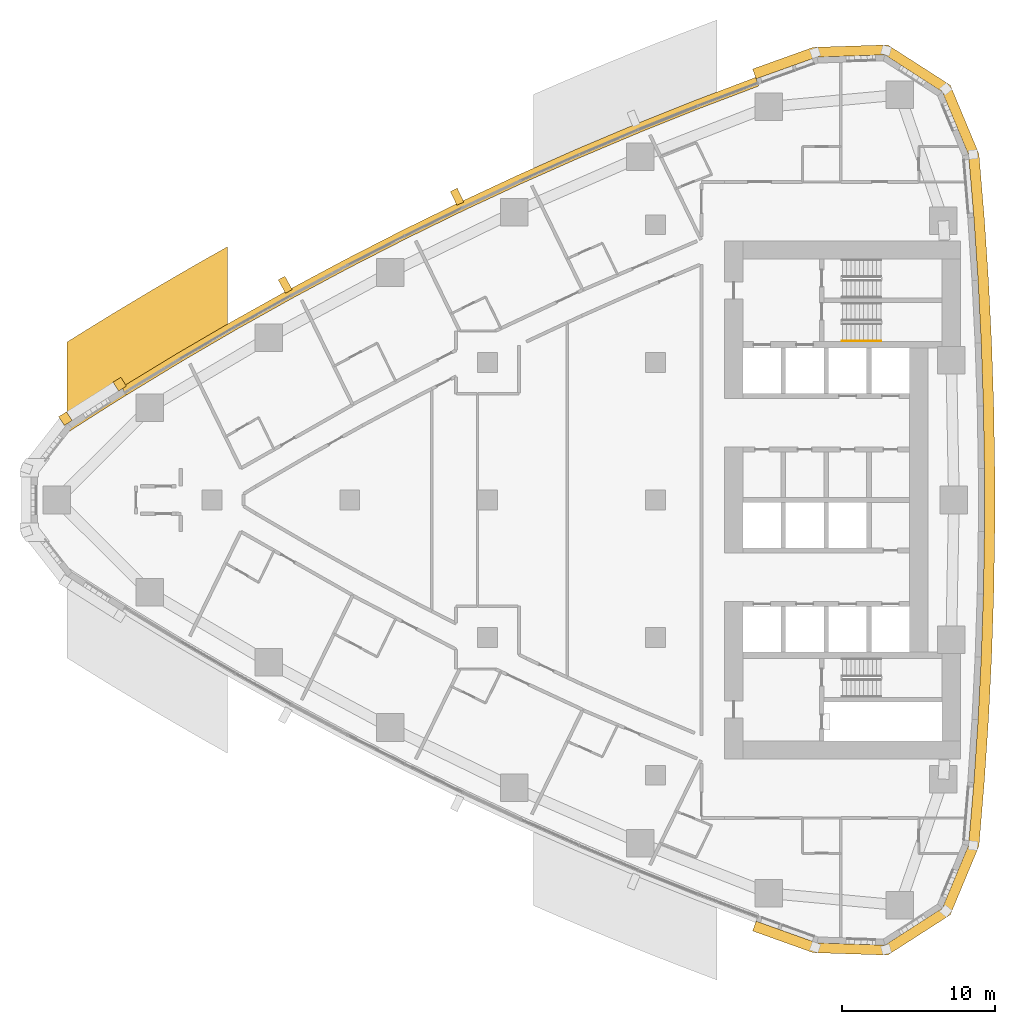
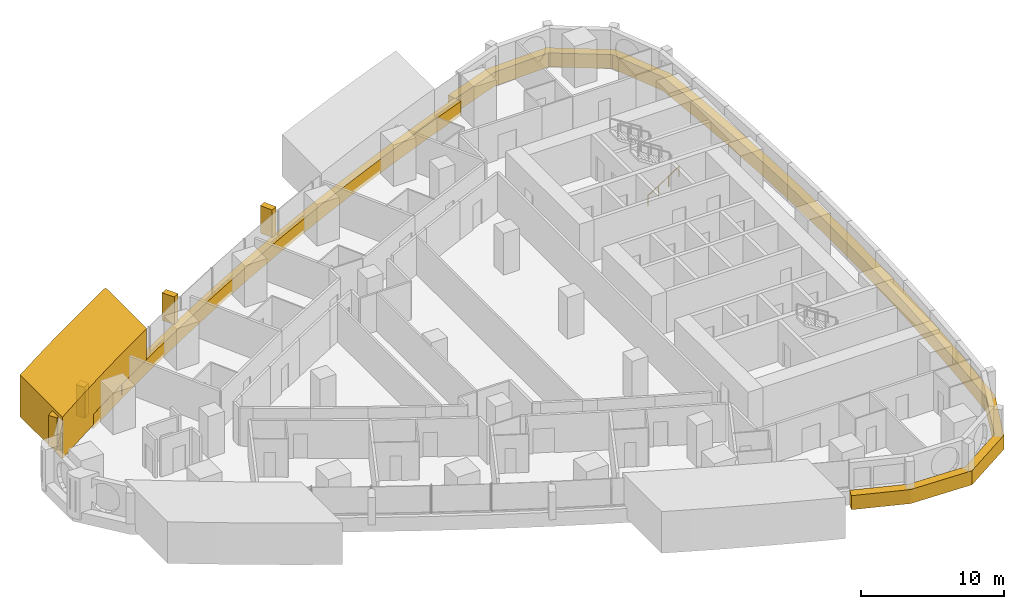
# One storey, part 17 of 19: 7 coverings, 1 railing.
"""IFC4 building model written with IfcOpenShell, lengths in metres."""

from ifc_helpers import new_model, si_unit, direction, frame, frame_2d, origin, origin_2d, place, context, subcontext, project, spatial, polyline, rectangle, circle, outline, extrude, material, layer, layer_set, type_object, element, save


model = new_model("IFC4")

# Units and contexts
model_context = context("Model", 3, precision=1e-05, world=origin(), true_north=direction((0.0, 1.0)))
body_context = subcontext(model_context, "Body", "Model", "MODEL_VIEW")
ifc_project = project(units=[si_unit("LENGTHUNIT", "METRE"), si_unit("AREAUNIT", "SQUARE_METRE"), si_unit("VOLUMEUNIT", "CUBIC_METRE"), si_unit("PLANEANGLEUNIT", "RADIAN"), si_unit("MASSUNIT", "GRAM", prefix="KILO")], contexts=[model_context])

# Site, building, storey
site_placement = place(None, origin())
site = spatial("IfcSite", under=ifc_project, at=site_placement, CompositionType="ELEMENT")
building_placement = place(site_placement, origin())
building = spatial("IfcBuilding", under=site, at=building_placement, Name="Ostrand Prow Hotel Tower", CompositionType="ELEMENT")
storey_placement = place(building_placement, frame((0.0, 0.0, 50.25)))
storey = spatial("IfcBuildingStorey", under=building, at=storey_placement, Name="L10", CompositionType="ELEMENT", Elevation=50.25)

# Coverings
ifc_material_1 = material(Name="Bronze anodised aluminium cladding", Category="aluminium")
ifc_layer_1 = layer(ifc_material_1, 0.60009765625)
ifc_layer_set_1 = layer_set([ifc_layer_1], Name="Bronze anodised aluminium cladding")
covering_type_1 = type_object("IfcCoveringType", Name="Bronze spandrel band 1200x600", PredefinedType="CLADDING", material=ifc_layer_set_1)
covering_1_placement = place(storey_placement, frame((0.0, 0.0, -0.300048828125)))
element("IfcCovering", 1, at=covering_1_placement, inside=storey, type_object=covering_type_1, Name="Spandrel band N1", PredefinedType="CLADDING", context=body_context, shape_type="SweptSolid", body=[
    extrude(outline(polyline([(51.5361328125, 27.6328125), (47.607666015625, 26.142578125), (43.70751953125, 24.580078125), (39.83642578125, 22.946044921875), (35.996337890625, 21.2412109375), (32.188232421875, 19.4658203125), (28.413330078125, 17.62060546875), (24.673095703125, 15.70654296875), (20.968994140625, 13.723876953125), (17.301513671875, 11.673095703125), (13.672607421875, 9.555419921875), (10.08349609375, 7.371337890625), (10.39990234375, 6.86181640625), (13.97998046875, 9.0400390625), (17.59912109375, 11.152099609375), (21.2568359375, 13.197509765625), (24.951416015625, 15.1748046875), (28.681884765625, 17.083984375), (32.44677734375, 18.92431640625), (36.244873046875, 20.695068359375), (40.074951171875, 22.3955078125), (43.935791015625, 24.025146484375), (47.82568359375, 25.58349609375), (51.743896484375, 27.070068359375), (51.5361328125, 27.6328125)])), origin(), (0.0, 0.0, 1.0), 1.199951171875),
])
covering_2_placement = place(storey_placement, frame((0.0, 0.0, -0.300048828125)))
element("IfcCovering", 2, at=covering_2_placement, inside=storey, type_object=covering_type_1, Name="Spandrel band back 1", PredefinedType="CLADDING", context=body_context, shape_type="SweptSolid", body=[
    extrude(outline(polyline([(51.335205078125, -28.177001953125), (55.300537109375, -29.5986328125), (60.16796875, -29.758056640625), (64.26318359375, -27.123046875), (66.13525390625, -22.627197265625), (66.48046875, -18.521728515625), (66.756591796875, -14.411376953125), (66.964111328125, -10.296630859375), (67.102294921875, -6.17919921875), (67.17138671875, -2.059814453125), (67.17138671875, 2.059814453125), (67.102294921875, 6.17919921875), (66.964111328125, 10.296630859375), (66.756591796875, 14.411376953125), (66.48046875, 18.521728515625), (66.13525390625, 22.627197265625), (64.26318359375, 27.123046875), (60.16796875, 29.758056640625), (55.300537109375, 29.5986328125), (51.335205078125, 28.177001953125), (51.57080078125, 27.5390625), (55.524169921875, 28.956298828125), (59.98681640625, 29.1025390625), (63.74169921875, 26.6865234375), (65.4580078125, 22.564453125), (65.802490234375, 18.470458984375), (66.077880859375, 14.371337890625), (66.28466796875, 10.26806640625), (66.422607421875, 6.162109375), (66.491455078125, 2.05419921875), (66.491455078125, -2.05419921875), (66.422607421875, -6.162109375), (66.28466796875, -10.26806640625), (66.077880859375, -14.371337890625), (65.802490234375, -18.470458984375), (65.4580078125, -22.564453125), (63.74169921875, -26.6865234375), (59.98681640625, -29.1025390625), (55.524169921875, -28.956298828125), (51.57080078125, -27.5390625), (51.335205078125, -28.177001953125)])), origin(), (0.0, 0.0, 1.0), 1.199951171875),
])
ifc_material_2 = material(Name="Limestone cladding", Category="masonry")
ifc_layer_2 = layer(ifc_material_2, 5.0)
ifc_layer_set_2 = layer_set([ifc_layer_2], Name="Limestone cladding")
covering_type_2 = type_object("IfcCoveringType", Name="Portal jamb pilaster limestone", PredefinedType="CLADDING", material=ifc_layer_set_2)
covering_3_placement = place(storey_placement, origin())
element("IfcCovering", 3, at=covering_3_placement, inside=storey, type_object=covering_type_2, Name="Portal jamb NA L10", PredefinedType="CLADDING", context=body_context, shape_type="SweptSolid", body=[
    extrude(outline(polyline([(6.5, 4.3837890625), (7.45458984375, 5.00048828125), (8.4091796875, 5.610595703125), (9.363525390625, 6.214111328125), (10.318115234375, 6.810791015625), (11.272705078125, 7.401123046875), (12.227294921875, 7.98486328125), (13.181884765625, 8.562255859375), (14.136474609375, 9.13330078125), (15.0908203125, 9.697998046875), (16.04541015625, 10.25634765625), (17.0, 10.80859375), (17.0, 16.556640625), (16.04541015625, 16.020263671875), (15.0908203125, 15.4775390625), (14.136474609375, 14.92919921875), (13.181884765625, 14.37451171875), (12.227294921875, 13.81396484375), (11.272705078125, 13.247314453125), (10.318115234375, 12.67431640625), (9.363525390625, 12.09521484375), (8.4091796875, 11.509521484375), (7.45458984375, 10.917724609375), (6.5, 10.319580078125), (6.5, 4.3837890625)])), origin(), (0.0, 0.0, 1.0), 3.550048828125),
])
ifc_material_3 = material(Name="Limestone cladding", Category="masonry")
ifc_layer_3 = layer(ifc_material_3, 0.5)
ifc_layer_set_3 = layer_set([ifc_layer_3], Name="Limestone cladding")
covering_type_3 = type_object("IfcCoveringType", Name="Precast stone fin 500x900", PredefinedType="CLADDING", material=ifc_layer_set_3)
for number, where, z_axis, x_axis, name in (
    (4, (32.231201171875, 19.37548828125, 0.89990234375), (0.0, 0.0, 1.0), (-0.430634686673, 0.902526324621, 0.0), "Stone fin N 6"),
    (5, (21.016845703125, 13.635986328125, 0.89990234375), (0.0, 0.0, 1.0), (-0.480014960696, 0.877260302025, 0.0), "Stone fin N 9"),
):
    element("IfcCovering", number, at=place(storey_placement, frame(where, z_axis=z_axis, x_axis=x_axis)), inside=storey, type_object=covering_type_3, Name=name, PredefinedType="CLADDING", context=body_context, shape_type="SweptSolid", body=[
        extrude(rectangle(XDim=1.0, YDim=0.5, at=frame_2d((0.5, 0.0))), origin(), (0.0, 0.0, 1.0), 2.35009765625),
    ])
ifc_material_4 = material(Name="Limestone cladding", Category="masonry")
ifc_layer_4 = layer(ifc_material_4, 0.60009765625)
ifc_layer_set_4 = layer_set([ifc_layer_4], Name="Limestone cladding")
covering_type_4 = type_object("IfcCoveringType", Name="Precast stone prow rib 600x600", PredefinedType="CLADDING", material=ifc_layer_set_4)
for number, where, z_axis, x_axis, name in (
    (6, (10.13623046875, 7.286376953125, 0.60009765625), (0.0, 0.0, 1.0), (-0.527738148304, 0.849407114889, 0.0), "Stone prow rib 1"),
    (7, (6.589111328125, 5.03759765625, 0.60009765625), (0.0, 0.0, 1.0), (-0.543295944087, 0.839541253983, 0.0), "Stone prow rib 2"),
):
    element("IfcCovering", number, at=place(storey_placement, frame(where, z_axis=z_axis, x_axis=x_axis)), inside=storey, type_object=covering_type_4, Name=name, PredefinedType="CLADDING", context=body_context, shape_type="SweptSolid", body=[
        extrude(rectangle(XDim=0.679931640625, YDim=0.60009765625, at=frame_2d((0.33984375, 0.0))), origin(), (0.0, 0.0, 1.0), 2.64990234375),
    ])

# Railing
ifc_material_5 = material(Name="Stainless steel", Category="steel")
railing_type = type_object("IfcRailingType", Name="Stair handrail 900", PredefinedType="HANDRAIL", material=ifc_material_5)
railing_placement = place(storey_placement, frame((57.199951171875, 10.39990234375, 0.177490234375)))
element("IfcRailing", 8, at=railing_placement, inside=storey, type_object=railing_type, Name="L10 ST1C stair handrail 1", PredefinedType="HANDRAIL", context=body_context, shape_type="SweptSolid", body=[
    extrude(circle(Radius=0.02392578125, at=origin_2d()), frame((0.0, 0.0, 0.8759765625), z_axis=(0.84460694969, 0.0, 0.535386869969), x_axis=(0.0, 1.0, 0.0)), (0.0, 0.0, 1.0), 2.983642578125),
    extrude(circle(Radius=0.02099609375, at=origin_2d()), origin(), (0.0, 0.0, 1.0), 0.851806640625),
    extrude(circle(Radius=0.02099609375, at=origin_2d()), frame((0.840087890625, 0.0, 0.532470703125)), (0.0, 0.0, 1.0), 0.851806640625),
    extrude(circle(Radius=0.02099609375, at=origin_2d()), frame((1.679931640625, 0.0, 1.06494140625)), (0.0, 0.0, 1.0), 0.851806640625),
    extrude(circle(Radius=0.02099609375, at=origin_2d()), frame((2.52001953125, 0.0, 1.597412109375)), (0.0, 0.0, 1.0), 0.851806640625),
])

save(model, "model.ifc")
